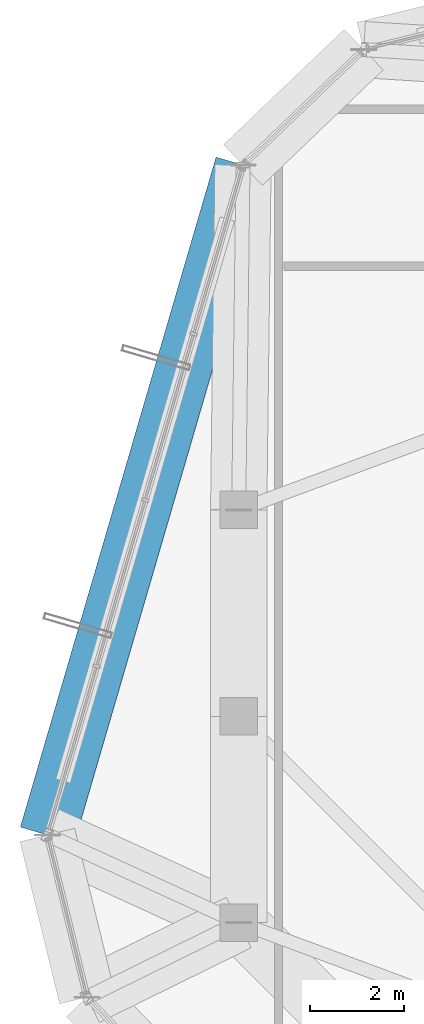
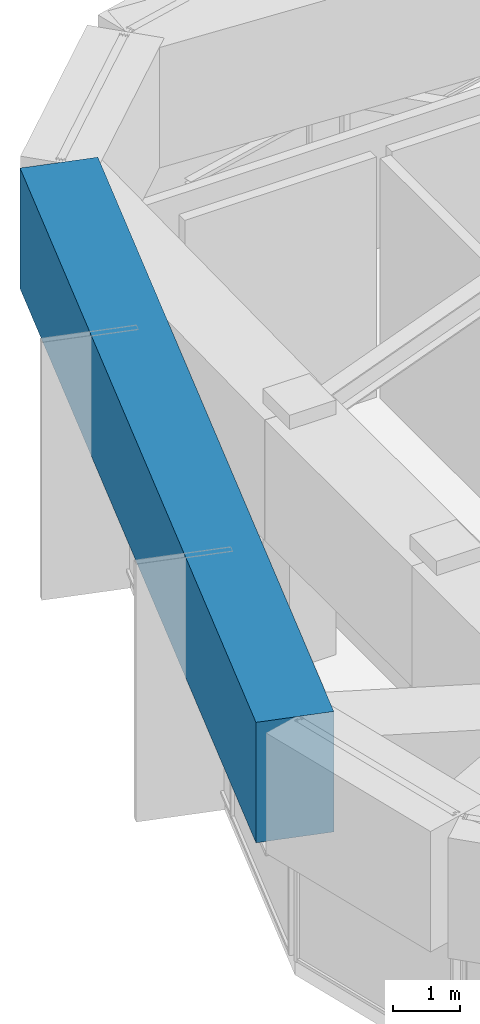
# One storey, part 15 of 39: 1 beam.
"""IFC4 building model written with IfcOpenShell, lengths in metres."""

from ifc_helpers import new_model, si_unit, direction, frame, origin, origin_2d, place, context, subcontext, project, spatial, rectangle, extrude, material, material_profile, profile_set, type_object, element, save


model = new_model("IFC4")

# Units and contexts
model_context = context("Model", 3, precision=1e-05, world=origin(), true_north=direction((0.0, 1.0)))
body_context = subcontext(model_context, "Body", "Model", "MODEL_VIEW")
ifc_project = project(units=[si_unit("LENGTHUNIT", "METRE"), si_unit("AREAUNIT", "SQUARE_METRE"), si_unit("VOLUMEUNIT", "CUBIC_METRE"), si_unit("PLANEANGLEUNIT", "RADIAN"), si_unit("MASSUNIT", "GRAM", prefix="KILO")], contexts=[model_context])

# Site, building, storey
site_placement = place(None, origin())
site = spatial("IfcSite", under=ifc_project, at=site_placement, CompositionType="ELEMENT")
building_placement = place(site_placement, origin())
building = spatial("IfcBuilding", under=site, at=building_placement, Name="Veraguas Prism Commons", CompositionType="ELEMENT")
storey_placement = place(building_placement, frame((0.0, 0.0, 264.25)))
storey = spatial("IfcBuildingStorey", under=building, at=storey_placement, Name="L75", CompositionType="ELEMENT", Elevation=264.25)

# Beam
ifc_material = material(Name="Concrete C50/60", Category="concrete")
ifc_material_profile = material_profile(ifc_material, rectangle(XDim=1.199951171875, YDim=2.199951171875, at=origin_2d()), Name="RC1200X2200")
ifc_profile_set = profile_set([ifc_material_profile], Name="Concrete C50/60")
beam_type = type_object("IfcBeamType", Name="Podium Transfer Girder RC 1200x2200", PredefinedType="BEAM", material=ifc_profile_set)
beam_placement = place(storey_placement, frame((10.2919921875, 35.757568359375, 3.2900390625), z_axis=(-0.280343833739, -0.959899648341, 0.0), x_axis=(0.959899648341, -0.280343833739, 0.0)))
element("IfcBeam", 1, at=beam_placement, inside=storey, type_object=beam_type, Name="Crown Base Ring Beam L75-06", PredefinedType="BEAM", context=body_context, shape_type="SweptSolid", body=[
    extrude(rectangle(XDim=1.199951171875, YDim=2.199951171875, at=origin_2d()), origin(), (0.0, 0.0, 1.0), 14.886474609375),
])

save(model, "model.ifc")
